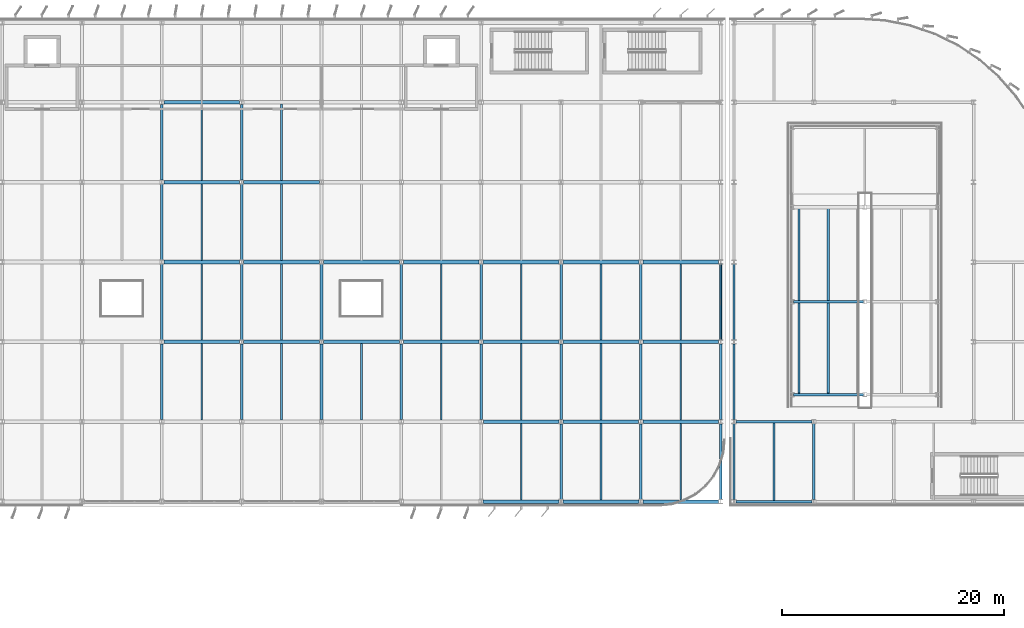
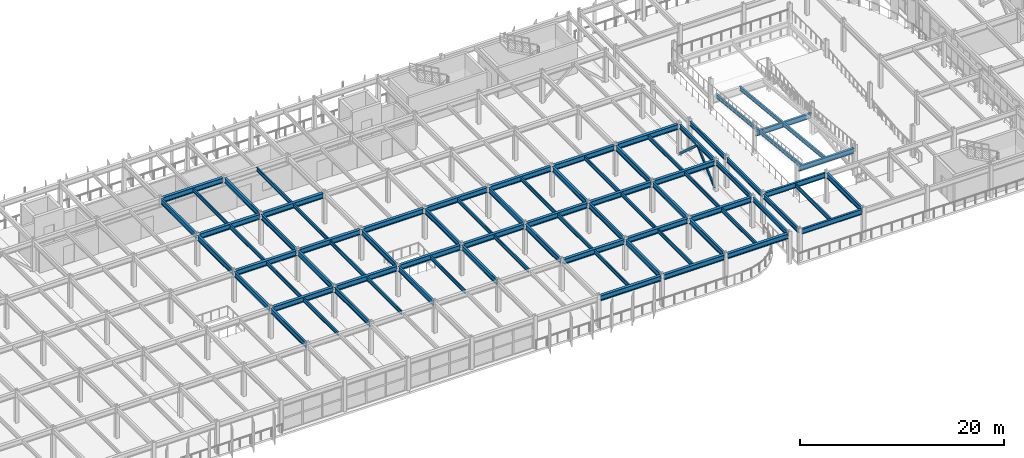
# One storey, part 21 of 80: 77 beams, 2 members.
"""IFC4 building model written with IfcOpenShell, lengths in metres."""

from ifc_helpers import new_model, si_unit, direction, frame, origin, origin_2d, place, context, subcontext, project, spatial, hollow_rectangle, i_section, extrude, material, material_profile, profile_set, type_object, element, save


model = new_model("IFC4")

# Units and contexts
model_context = context("Model", 3, precision=1e-05, world=origin(), true_north=direction((0.0, 1.0)))
body_context = subcontext(model_context, "Body", "Model", "MODEL_VIEW")
ifc_project = project(units=[si_unit("LENGTHUNIT", "METRE"), si_unit("AREAUNIT", "SQUARE_METRE"), si_unit("VOLUMEUNIT", "CUBIC_METRE"), si_unit("PLANEANGLEUNIT", "RADIAN"), si_unit("MASSUNIT", "GRAM", prefix="KILO")], contexts=[model_context])

# Site, building, storey
site_placement = place(None, origin())
site = spatial("IfcSite", under=ifc_project, at=site_placement, CompositionType="ELEMENT")
building_placement = place(site_placement, origin())
building = spatial("IfcBuilding", under=site, at=building_placement, Name="Vaelcorin Mobility Hub", CompositionType="ELEMENT")
storey_placement = place(building_placement, frame((0.0, 0.0, 9.300048828125)))
storey = spatial("IfcBuildingStorey", under=building, at=storey_placement, Name="L02", CompositionType="ELEMENT", Elevation=9.300048828125)

# Beams
ifc_material_1 = material(Name="Steel ASTM A992 Grade 50", Category="steel")
ifc_material_profile_1 = material_profile(ifc_material_1, i_section(OverallWidth=0.152099609375, OverallDepth=0.455078125, WebThickness=0.008056640625, FlangeThickness=0.01318359375, FilletRadius=0.012939453125, at=origin_2d()), Name="W18X40")
ifc_profile_set_1 = profile_set([ifc_material_profile_1], Name="Steel ASTM A992 Grade 50")
beam_type_1 = type_object("IfcBeamType", Name="BM-W18X40", PredefinedType="JOIST", material=ifc_profile_set_1)
beam_1_placement = place(storey_placement, frame((127.199951171875, 76.912109375, 3.421875), z_axis=(0.0, 1.0, 0.0), x_axis=(-1.0, 0.0, 0.0)))
element("IfcBeam", 1, at=beam_1_placement, inside=storey, type_object=beam_type_1, Name="L02 Beam V2E-L02-J-01-01-1", PredefinedType="JOIST", context=body_context, shape_type="SweptSolid", body=[
    extrude(i_section(OverallWidth=0.152099609375, OverallDepth=0.455078125, WebThickness=0.008056640625, FlangeThickness=0.01318359375, FilletRadius=0.012939453125, at=origin_2d()), origin(), (0.0, 0.0, 1.0), 6.975830078125),
])
ifc_material_profile_2 = material_profile(ifc_material_1, i_section(OverallWidth=0.154052734375, OverallDepth=0.45703125, WebThickness=0.009033203125, FlangeThickness=0.015380859375, FilletRadius=0.012939453125, at=origin_2d()), Name="W18X46")
ifc_profile_set_2 = profile_set([ifc_material_profile_2], Name="Steel ASTM A992 Grade 50")
beam_type_2 = type_object("IfcBeamType", Name="BM-W18X46", PredefinedType="JOIST", material=ifc_profile_set_2)
beam_2_placement = place(storey_placement, frame((75.60009765625, 84.159912109375, 3.4619140625), z_axis=(0.0, 1.0, 0.0), x_axis=(-1.0, 0.0, 0.0)))
element("IfcBeam", 2, at=beam_2_placement, inside=storey, type_object=beam_type_2, Name="L02 Beam V4-L02-J-06-02-1", PredefinedType="JOIST", context=body_context, shape_type="SweptSolid", body=[
    extrude(i_section(OverallWidth=0.154052734375, OverallDepth=0.45703125, WebThickness=0.009033203125, FlangeThickness=0.015380859375, FilletRadius=0.012939453125, at=origin_2d()), origin(), (0.0, 0.0, 1.0), 6.880126953125),
])
for number, where, z_axis, x_axis, name in (
    (3, (75.60009765625, 91.360107421875, 3.4619140625), (0.0, 1.0, 0.0), (-1.0, 0.0, 0.0), "L02 Beam V4-L02-J-06-03-1"),
    (4, (75.60009765625, 98.56005859375, 3.4619140625), (0.0, 1.0, 0.0), (-1.0, 0.0, 0.0), "L02 Beam V4-L02-J-06-04-1"),
    (5, (75.60009765625, 105.760009765625, 3.4619140625), (0.0, 1.0, 0.0), (-1.0, 0.0, 0.0), "L02 Beam V4-L02-J-06-05-1"),
):
    element("IfcBeam", number, at=place(storey_placement, frame(where, z_axis=z_axis, x_axis=x_axis)), inside=storey, type_object=beam_type_2, Name=name, PredefinedType="JOIST", context=body_context, shape_type="SweptSolid", body=[
        extrude(i_section(OverallWidth=0.154052734375, OverallDepth=0.45703125, WebThickness=0.009033203125, FlangeThickness=0.015380859375, FilletRadius=0.012939453125, at=origin_2d()), origin(), (0.0, 0.0, 1.0), 6.8798828125),
    ])
beam_3_placement = place(storey_placement, frame((82.800048828125, 84.159912109375, 3.4619140625), z_axis=(0.0, 1.0, 0.0), x_axis=(-1.0, 0.0, 0.0)))
element("IfcBeam", 6, at=beam_3_placement, inside=storey, type_object=beam_type_2, Name="L02 Beam V4-L02-J-07-02-1", PredefinedType="JOIST", context=body_context, shape_type="SweptSolid", body=[
    extrude(i_section(OverallWidth=0.154052734375, OverallDepth=0.45703125, WebThickness=0.009033203125, FlangeThickness=0.015380859375, FilletRadius=0.012939453125, at=origin_2d()), origin(), (0.0, 0.0, 1.0), 6.880126953125),
])
for number, where, z_axis, x_axis, name in (
    (7, (82.800048828125, 91.360107421875, 3.4619140625), (0.0, 1.0, 0.0), (-1.0, 0.0, 0.0), "L02 Beam V4-L02-J-07-03-1"),
    (8, (82.800048828125, 98.56005859375, 3.4619140625), (0.0, 1.0, 0.0), (-1.0, 0.0, 0.0), "L02 Beam V4-L02-J-07-04-1"),
    (9, (82.800048828125, 105.760009765625, 3.4619140625), (0.0, 1.0, 0.0), (-1.0, 0.0, 0.0), "L02 Beam V4-L02-J-07-05-1"),
):
    element("IfcBeam", number, at=place(storey_placement, frame(where, z_axis=z_axis, x_axis=x_axis)), inside=storey, type_object=beam_type_2, Name=name, PredefinedType="JOIST", context=body_context, shape_type="SweptSolid", body=[
        extrude(i_section(OverallWidth=0.154052734375, OverallDepth=0.45703125, WebThickness=0.009033203125, FlangeThickness=0.015380859375, FilletRadius=0.012939453125, at=origin_2d()), origin(), (0.0, 0.0, 1.0), 6.8798828125),
    ])
for number, where, z_axis, x_axis, name in (
    (10, (90.0, 84.159912109375, 3.4619140625), (0.0, 1.0, 0.0), (-1.0, 0.0, 0.0), "L02 Beam V4-L02-J-08-02-1"),
    (11, (97.199951171875, 84.159912109375, 3.4619140625), (0.0, 1.0, 0.0), (-1.0, 0.0, 0.0), "L02 Beam V4-L02-J-09-02-1"),
):
    element("IfcBeam", number, at=place(storey_placement, frame(where, z_axis=z_axis, x_axis=x_axis)), inside=storey, type_object=beam_type_2, Name=name, PredefinedType="JOIST", context=body_context, shape_type="SweptSolid", body=[
        extrude(i_section(OverallWidth=0.154052734375, OverallDepth=0.45703125, WebThickness=0.009033203125, FlangeThickness=0.015380859375, FilletRadius=0.012939453125, at=origin_2d()), origin(), (0.0, 0.0, 1.0), 6.880126953125),
    ])
beam_4_placement = place(storey_placement, frame((97.199951171875, 91.360107421875, 3.4619140625), z_axis=(0.0, 1.0, 0.0), x_axis=(-1.0, 0.0, 0.0)))
element("IfcBeam", 12, at=beam_4_placement, inside=storey, type_object=beam_type_2, Name="L02 Beam V4-L02-J-09-03-1", PredefinedType="JOIST", context=body_context, shape_type="SweptSolid", body=[
    extrude(i_section(OverallWidth=0.154052734375, OverallDepth=0.45703125, WebThickness=0.009033203125, FlangeThickness=0.015380859375, FilletRadius=0.012939453125, at=origin_2d()), origin(), (0.0, 0.0, 1.0), 6.8798828125),
])
for number, where, z_axis, x_axis, name in (
    (13, (104.39990234375, 76.9599609375, 3.4619140625), (0.0, 1.0, 0.0), (-1.0, 0.0, 0.0), "L02 Beam V4-L02-J-10-01-1"),
    (14, (104.39990234375, 84.159912109375, 3.4619140625), (0.0, 1.0, 0.0), (-1.0, 0.0, 0.0), "L02 Beam V4-L02-J-10-02-1"),
):
    element("IfcBeam", number, at=place(storey_placement, frame(where, z_axis=z_axis, x_axis=x_axis)), inside=storey, type_object=beam_type_2, Name=name, PredefinedType="JOIST", context=body_context, shape_type="SweptSolid", body=[
        extrude(i_section(OverallWidth=0.154052734375, OverallDepth=0.45703125, WebThickness=0.009033203125, FlangeThickness=0.015380859375, FilletRadius=0.012939453125, at=origin_2d()), origin(), (0.0, 0.0, 1.0), 6.880126953125),
    ])
beam_5_placement = place(storey_placement, frame((104.39990234375, 91.360107421875, 3.4619140625), z_axis=(0.0, 1.0, 0.0), x_axis=(-1.0, 0.0, 0.0)))
element("IfcBeam", 15, at=beam_5_placement, inside=storey, type_object=beam_type_2, Name="L02 Beam V4-L02-J-10-03-1", PredefinedType="JOIST", context=body_context, shape_type="SweptSolid", body=[
    extrude(i_section(OverallWidth=0.154052734375, OverallDepth=0.45703125, WebThickness=0.009033203125, FlangeThickness=0.015380859375, FilletRadius=0.012939453125, at=origin_2d()), origin(), (0.0, 0.0, 1.0), 6.8798828125),
])
for number, where, z_axis, x_axis, name in (
    (16, (111.60009765625, 76.9599609375, 3.4619140625), (0.0, 1.0, 0.0), (-1.0, 0.0, 0.0), "L02 Beam V4-L02-J-11-01-1"),
    (17, (111.60009765625, 84.159912109375, 3.4619140625), (0.0, 1.0, 0.0), (-1.0, 0.0, 0.0), "L02 Beam V4-L02-J-11-02-1"),
):
    element("IfcBeam", number, at=place(storey_placement, frame(where, z_axis=z_axis, x_axis=x_axis)), inside=storey, type_object=beam_type_2, Name=name, PredefinedType="JOIST", context=body_context, shape_type="SweptSolid", body=[
        extrude(i_section(OverallWidth=0.154052734375, OverallDepth=0.45703125, WebThickness=0.009033203125, FlangeThickness=0.015380859375, FilletRadius=0.012939453125, at=origin_2d()), origin(), (0.0, 0.0, 1.0), 6.880126953125),
    ])
beam_6_placement = place(storey_placement, frame((111.60009765625, 91.360107421875, 3.4619140625), z_axis=(0.0, 1.0, 0.0), x_axis=(-1.0, 0.0, 0.0)))
element("IfcBeam", 18, at=beam_6_placement, inside=storey, type_object=beam_type_2, Name="L02 Beam V4-L02-J-11-03-1", PredefinedType="JOIST", context=body_context, shape_type="SweptSolid", body=[
    extrude(i_section(OverallWidth=0.154052734375, OverallDepth=0.45703125, WebThickness=0.009033203125, FlangeThickness=0.015380859375, FilletRadius=0.012939453125, at=origin_2d()), origin(), (0.0, 0.0, 1.0), 6.8798828125),
])
for number, where, z_axis, x_axis, name in (
    (19, (118.800048828125, 76.9599609375, 3.4619140625), (0.0, 1.0, 0.0), (-1.0, 0.0, 0.0), "L02 Beam V4-L02-J-12-01-1"),
    (20, (118.800048828125, 84.159912109375, 3.4619140625), (0.0, 1.0, 0.0), (-1.0, 0.0, 0.0), "L02 Beam V4-L02-J-12-02-1"),
):
    element("IfcBeam", number, at=place(storey_placement, frame(where, z_axis=z_axis, x_axis=x_axis)), inside=storey, type_object=beam_type_2, Name=name, PredefinedType="JOIST", context=body_context, shape_type="SweptSolid", body=[
        extrude(i_section(OverallWidth=0.154052734375, OverallDepth=0.45703125, WebThickness=0.009033203125, FlangeThickness=0.015380859375, FilletRadius=0.012939453125, at=origin_2d()), origin(), (0.0, 0.0, 1.0), 6.880126953125),
    ])
beam_7_placement = place(storey_placement, frame((118.800048828125, 91.360107421875, 3.4619140625), z_axis=(0.0, 1.0, 0.0), x_axis=(-1.0, 0.0, 0.0)))
element("IfcBeam", 21, at=beam_7_placement, inside=storey, type_object=beam_type_2, Name="L02 Beam V4-L02-J-12-03-1", PredefinedType="JOIST", context=body_context, shape_type="SweptSolid", body=[
    extrude(i_section(OverallWidth=0.154052734375, OverallDepth=0.45703125, WebThickness=0.009033203125, FlangeThickness=0.015380859375, FilletRadius=0.012939453125, at=origin_2d()), origin(), (0.0, 0.0, 1.0), 6.8798828125),
])
ifc_material_profile_3 = material_profile(ifc_material_1, i_section(OverallWidth=0.19091796875, OverallDepth=0.4599609375, WebThickness=0.010009765625, FlangeThickness=0.01611328125, FilletRadius=0.012939453125, at=origin_2d()), Name="W18X55")
ifc_profile_set_3 = profile_set([ifc_material_profile_3], Name="Steel ASTM A992 Grade 50")
beam_type_3 = type_object("IfcBeamType", Name="BM-W18X55", PredefinedType="JOIST", material=ifc_profile_set_3)
for number, where, z_axis, x_axis, name in (
    (22, (129.449951171875, 103.239990234375, 1.570068359375), (0.0, -0.994877478828, 0.101088090895), (1.0, 0.0, 0.0), "Vehicle Ramp VR-2 L02 Flight 2 Stringer 1"),
    (23, (132.10009765625, 103.239990234375, 1.570068359375), (0.0, -0.994877478828, 0.101088090895), (1.0, 0.0, 0.0), "Vehicle Ramp VR-2 L02 Flight 2 Stringer 2"),
):
    element("IfcBeam", number, at=place(storey_placement, frame(where, z_axis=z_axis, x_axis=x_axis)), inside=storey, type_object=beam_type_3, Name=name, PredefinedType="JOIST", context=body_context, shape_type="SweptSolid", body=[
        extrude(i_section(OverallWidth=0.19091796875, OverallDepth=0.4599609375, WebThickness=0.010009765625, FlangeThickness=0.01611328125, FilletRadius=0.012939453125, at=origin_2d()), origin(), (0.0, 0.0, 1.0), 16.765869140625),
    ])
ifc_material_profile_4 = material_profile(ifc_material_1, i_section(OverallWidth=0.2099609375, OverallDepth=0.535888671875, WebThickness=0.010986328125, FlangeThickness=0.017333984375, FilletRadius=0.013916015625, at=origin_2d()), Name="W21X68")
ifc_profile_set_4 = profile_set([ifc_material_profile_4], Name="Steel ASTM A992 Grade 50")
beam_type_4 = type_object("IfcBeamType", Name="BM-W21X68", PredefinedType="SPANDREL", material=ifc_profile_set_4)
for number, where, z_axis, x_axis, name in (
    (24, (122.39990234375, 76.98388671875, 3.421875), (0.0, 1.0, 0.0), (-1.0, 0.0, 0.0), "L02 Beam V4-L02-GY-13-01"),
    (25, (122.39990234375, 84.18798828125, 3.421875), (0.0, 1.0, 0.0), (-1.0, 0.0, 0.0), "L02 Beam V4-L02-GY-13-02"),
):
    element("IfcBeam", number, at=place(storey_placement, frame(where, z_axis=z_axis, x_axis=x_axis)), inside=storey, type_object=beam_type_4, Name=name, PredefinedType="SPANDREL", context=body_context, shape_type="SweptSolid", body=[
        extrude(i_section(OverallWidth=0.2099609375, OverallDepth=0.535888671875, WebThickness=0.010986328125, FlangeThickness=0.017333984375, FilletRadius=0.013916015625, at=origin_2d()), origin(), (0.0, 0.0, 1.0), 6.828125),
    ])
beam_8_placement = place(storey_placement, frame((122.39990234375, 91.384033203125, 3.421875), z_axis=(0.0, 1.0, 0.0), x_axis=(-1.0, 0.0, 0.0)))
element("IfcBeam", 26, at=beam_8_placement, inside=storey, type_object=beam_type_4, Name="L02 Beam V4-L02-GY-13-03", PredefinedType="SPANDREL", context=body_context, shape_type="SweptSolid", body=[
    extrude(i_section(OverallWidth=0.2099609375, OverallDepth=0.535888671875, WebThickness=0.010986328125, FlangeThickness=0.017333984375, FilletRadius=0.013916015625, at=origin_2d()), origin(), (0.0, 0.0, 1.0), 6.83203125),
])
for number, where, z_axis, x_axis, name in (
    (27, (123.60009765625, 76.97998046875, 3.3818359375), (0.0, 1.0, 0.0), (-1.0, 0.0, 0.0), "L02 Beam V2E-L02-GY-01-01"),
    (28, (123.60009765625, 84.179931640625, 3.3818359375), (0.0, 1.0, 0.0), (-1.0, 0.0, 0.0), "L02 Beam V2E-L02-GY-01-02"),
    (29, (123.60009765625, 91.3798828125, 3.3818359375), (0.0, 1.0, 0.0), (-1.0, 0.0, 0.0), "L02 Beam V2E-L02-GY-01-03"),
):
    element("IfcBeam", number, at=place(storey_placement, frame(where, z_axis=z_axis, x_axis=x_axis)), inside=storey, type_object=beam_type_4, Name=name, PredefinedType="SPANDREL", context=body_context, shape_type="SweptSolid", body=[
        extrude(i_section(OverallWidth=0.2099609375, OverallDepth=0.535888671875, WebThickness=0.010986328125, FlangeThickness=0.017333984375, FilletRadius=0.013916015625, at=origin_2d()), origin(), (0.0, 0.0, 1.0), 6.840087890625),
    ])
ifc_material_profile_5 = material_profile(ifc_material_1, i_section(OverallWidth=0.324951171875, OverallDepth=0.612060546875, WebThickness=0.0126953125, FlangeThickness=0.01904296875, FilletRadius=0.014892578125, at=origin_2d()), Name="W24X104")
ifc_profile_set_5 = profile_set([ifc_material_profile_5], Name="Steel ASTM A992 Grade 50")
beam_type_5 = type_object("IfcBeamType", Name="BM-W24X104", PredefinedType="BEAM", material=ifc_profile_set_5)
for number, where, z_axis, x_axis, name in (
    (30, (100.98388671875, 76.800048828125, 3.384033203125), (1.0, 0.0, 0.0), (0.0, 1.0, 0.0), "L02 Beam V4-L02-GX-01-10"),
    (31, (108.18408203125, 76.800048828125, 3.384033203125), (1.0, 0.0, 0.0), (0.0, 1.0, 0.0), "L02 Beam V4-L02-GX-01-11"),
    (32, (115.384033203125, 76.800048828125, 3.384033203125), (1.0, 0.0, 0.0), (0.0, 1.0, 0.0), "L02 Beam V4-L02-GX-01-12"),
):
    element("IfcBeam", number, at=place(storey_placement, frame(where, z_axis=z_axis, x_axis=x_axis)), inside=storey, type_object=beam_type_5, Name=name, PredefinedType="BEAM", context=body_context, shape_type="SweptSolid", body=[
        extrude(i_section(OverallWidth=0.324951171875, OverallDepth=0.612060546875, WebThickness=0.0126953125, FlangeThickness=0.01904296875, FilletRadius=0.014892578125, at=origin_2d()), origin(), (0.0, 0.0, 1.0), 6.83203125),
    ])
for number, where, z_axis, x_axis, name in (
    (33, (100.99609375, 84.0, 3.384033203125), (1.0, 0.0, 0.0), (0.0, 1.0, 0.0), "L02 Beam V4-L02-GX-02-10"),
    (34, (108.196044921875, 84.0, 3.384033203125), (1.0, 0.0, 0.0), (0.0, 1.0, 0.0), "L02 Beam V4-L02-GX-02-11"),
):
    element("IfcBeam", number, at=place(storey_placement, frame(where, z_axis=z_axis, x_axis=x_axis)), inside=storey, type_object=beam_type_5, Name=name, PredefinedType="BEAM", context=body_context, shape_type="SweptSolid", body=[
        extrude(i_section(OverallWidth=0.324951171875, OverallDepth=0.612060546875, WebThickness=0.0126953125, FlangeThickness=0.01904296875, FilletRadius=0.014892578125, at=origin_2d()), origin(), (0.0, 0.0, 1.0), 6.807861328125),
    ])
beam_9_placement = place(storey_placement, frame((115.39599609375, 84.0, 3.384033203125), z_axis=(1.0, 0.0, 0.0), x_axis=(0.0, 1.0, 0.0)))
element("IfcBeam", 35, at=beam_9_placement, inside=storey, type_object=beam_type_5, Name="L02 Beam V4-L02-GX-02-12", PredefinedType="BEAM", context=body_context, shape_type="SweptSolid", body=[
    extrude(i_section(OverallWidth=0.324951171875, OverallDepth=0.612060546875, WebThickness=0.0126953125, FlangeThickness=0.01904296875, FilletRadius=0.014892578125, at=origin_2d()), origin(), (0.0, 0.0, 1.0), 6.80810546875),
])
for number, where, z_axis, x_axis, name in (
    (36, (72.18408203125, 91.199951171875, 3.384033203125), (1.0, 0.0, 0.0), (0.0, 1.0, 0.0), "L02 Beam V4-L02-GX-03-06"),
    (37, (79.384033203125, 91.199951171875, 3.384033203125), (1.0, 0.0, 0.0), (0.0, 1.0, 0.0), "L02 Beam V4-L02-GX-03-07"),
    (38, (86.583984375, 91.199951171875, 3.384033203125), (1.0, 0.0, 0.0), (0.0, 1.0, 0.0), "L02 Beam V4-L02-GX-03-08"),
    (39, (93.783935546875, 91.199951171875, 3.384033203125), (1.0, 0.0, 0.0), (0.0, 1.0, 0.0), "L02 Beam V4-L02-GX-03-09"),
    (40, (100.98388671875, 91.199951171875, 3.384033203125), (1.0, 0.0, 0.0), (0.0, 1.0, 0.0), "L02 Beam V4-L02-GX-03-10"),
    (41, (108.18408203125, 91.199951171875, 3.384033203125), (1.0, 0.0, 0.0), (0.0, 1.0, 0.0), "L02 Beam V4-L02-GX-03-11"),
    (42, (115.384033203125, 91.199951171875, 3.384033203125), (1.0, 0.0, 0.0), (0.0, 1.0, 0.0), "L02 Beam V4-L02-GX-03-12"),
    (43, (72.18408203125, 98.39990234375, 3.384033203125), (1.0, 0.0, 0.0), (0.0, 1.0, 0.0), "L02 Beam V4-L02-GX-04-06"),
    (44, (79.384033203125, 98.39990234375, 3.384033203125), (1.0, 0.0, 0.0), (0.0, 1.0, 0.0), "L02 Beam V4-L02-GX-04-07"),
    (45, (86.583984375, 98.39990234375, 3.384033203125), (1.0, 0.0, 0.0), (0.0, 1.0, 0.0), "L02 Beam V4-L02-GX-04-08"),
    (46, (93.783935546875, 98.39990234375, 3.384033203125), (1.0, 0.0, 0.0), (0.0, 1.0, 0.0), "L02 Beam V4-L02-GX-04-09"),
    (47, (100.98388671875, 98.39990234375, 3.384033203125), (1.0, 0.0, 0.0), (0.0, 1.0, 0.0), "L02 Beam V4-L02-GX-04-10"),
    (48, (108.18408203125, 98.39990234375, 3.384033203125), (1.0, 0.0, 0.0), (0.0, 1.0, 0.0), "L02 Beam V4-L02-GX-04-11"),
    (49, (115.384033203125, 98.39990234375, 3.384033203125), (1.0, 0.0, 0.0), (0.0, 1.0, 0.0), "L02 Beam V4-L02-GX-04-12"),
    (50, (72.18408203125, 105.60009765625, 3.384033203125), (1.0, 0.0, 0.0), (0.0, 1.0, 0.0), "L02 Beam V4-L02-GX-05-06"),
    (51, (79.384033203125, 105.60009765625, 3.384033203125), (1.0, 0.0, 0.0), (0.0, 1.0, 0.0), "L02 Beam V4-L02-GX-05-07"),
):
    element("IfcBeam", number, at=place(storey_placement, frame(where, z_axis=z_axis, x_axis=x_axis)), inside=storey, type_object=beam_type_5, Name=name, PredefinedType="BEAM", context=body_context, shape_type="SweptSolid", body=[
        extrude(i_section(OverallWidth=0.324951171875, OverallDepth=0.612060546875, WebThickness=0.0126953125, FlangeThickness=0.01904296875, FilletRadius=0.014892578125, at=origin_2d()), origin(), (0.0, 0.0, 1.0), 6.83203125),
    ])
beam_10_placement = place(storey_placement, frame((72.196044921875, 112.800048828125, 3.384033203125), z_axis=(1.0, 0.0, 0.0), x_axis=(0.0, 1.0, 0.0)))
element("IfcBeam", 52, at=beam_10_placement, inside=storey, type_object=beam_type_5, Name="L02 Beam V4-L02-GX-06-06", PredefinedType="BEAM", context=body_context, shape_type="SweptSolid", body=[
    extrude(i_section(OverallWidth=0.324951171875, OverallDepth=0.612060546875, WebThickness=0.0126953125, FlangeThickness=0.01904296875, FilletRadius=0.014892578125, at=origin_2d()), origin(), (0.0, 0.0, 1.0), 6.807861328125),
])
ifc_material_profile_6 = material_profile(ifc_material_1, i_section(OverallWidth=0.22802734375, OverallDepth=0.60205078125, WebThickness=0.010498046875, FlangeThickness=0.014892578125, FilletRadius=0.014892578125, at=origin_2d()), Name="W24X68")
ifc_profile_set_6 = profile_set([ifc_material_profile_6], Name="Steel ASTM A992 Grade 50")
beam_type_6 = type_object("IfcBeamType", Name="BM-W24X68", PredefinedType="SPANDREL", material=ifc_profile_set_6)
beam_11_placement = place(storey_placement, frame((123.782958984375, 76.800048828125, 3.348876953125), z_axis=(1.0, 0.0, 0.0), x_axis=(0.0, 1.0, 0.0)))
element("IfcBeam", 53, at=beam_11_placement, inside=storey, type_object=beam_type_6, Name="L02 Beam V2E-L02-GX-01-01", PredefinedType="SPANDREL", context=body_context, shape_type="SweptSolid", body=[
    extrude(i_section(OverallWidth=0.22802734375, OverallDepth=0.60205078125, WebThickness=0.010498046875, FlangeThickness=0.014892578125, FilletRadius=0.014892578125, at=origin_2d()), origin(), (0.0, 0.0, 1.0), 6.8330078125),
])
ifc_material_profile_7 = material_profile(ifc_material_1, i_section(OverallWidth=0.22900390625, OverallDepth=0.612060546875, WebThickness=0.011962890625, FlangeThickness=0.01953125, FilletRadius=0.014892578125, at=origin_2d()), Name="W24X84")
ifc_profile_set_7 = profile_set([ifc_material_profile_7], Name="Steel ASTM A992 Grade 50")
beam_type_7 = type_object("IfcBeamType", Name="BM-W24X84", PredefinedType="BEAM", material=ifc_profile_set_7)
beam_12_placement = place(storey_placement, frame((72.0, 84.18798828125, 3.384033203125), z_axis=(0.0, 1.0, 0.0), x_axis=(-1.0, 0.0, 0.0)))
element("IfcBeam", 54, at=beam_12_placement, inside=storey, type_object=beam_type_7, Name="L02 Beam V4-L02-GY-06-02", PredefinedType="BEAM", context=body_context, shape_type="SweptSolid", body=[
    extrude(i_section(OverallWidth=0.22900390625, OverallDepth=0.612060546875, WebThickness=0.011962890625, FlangeThickness=0.01953125, FilletRadius=0.014892578125, at=origin_2d()), origin(), (0.0, 0.0, 1.0), 6.828125),
])
for number, where, z_axis, x_axis, name in (
    (55, (72.0, 91.384033203125, 3.384033203125), (0.0, 1.0, 0.0), (-1.0, 0.0, 0.0), "L02 Beam V4-L02-GY-06-03"),
    (56, (72.0, 98.583984375, 3.384033203125), (0.0, 1.0, 0.0), (-1.0, 0.0, 0.0), "L02 Beam V4-L02-GY-06-04"),
):
    element("IfcBeam", number, at=place(storey_placement, frame(where, z_axis=z_axis, x_axis=x_axis)), inside=storey, type_object=beam_type_7, Name=name, PredefinedType="BEAM", context=body_context, shape_type="SweptSolid", body=[
        extrude(i_section(OverallWidth=0.22900390625, OverallDepth=0.612060546875, WebThickness=0.011962890625, FlangeThickness=0.01953125, FilletRadius=0.014892578125, at=origin_2d()), origin(), (0.0, 0.0, 1.0), 6.83203125),
    ])
beam_13_placement = place(storey_placement, frame((72.0, 105.783935546875, 3.384033203125), z_axis=(0.0, 1.0, 0.0), x_axis=(-1.0, 0.0, 0.0)))
element("IfcBeam", 57, at=beam_13_placement, inside=storey, type_object=beam_type_7, Name="L02 Beam V4-L02-GY-06-05", PredefinedType="BEAM", context=body_context, shape_type="SweptSolid", body=[
    extrude(i_section(OverallWidth=0.22900390625, OverallDepth=0.612060546875, WebThickness=0.011962890625, FlangeThickness=0.01953125, FilletRadius=0.014892578125, at=origin_2d()), origin(), (0.0, 0.0, 1.0), 6.8271484375),
])
beam_14_placement = place(storey_placement, frame((79.199951171875, 84.18798828125, 3.384033203125), z_axis=(0.0, 1.0, 0.0), x_axis=(-1.0, 0.0, 0.0)))
element("IfcBeam", 58, at=beam_14_placement, inside=storey, type_object=beam_type_7, Name="L02 Beam V4-L02-GY-07-02", PredefinedType="BEAM", context=body_context, shape_type="SweptSolid", body=[
    extrude(i_section(OverallWidth=0.22900390625, OverallDepth=0.612060546875, WebThickness=0.011962890625, FlangeThickness=0.01953125, FilletRadius=0.014892578125, at=origin_2d()), origin(), (0.0, 0.0, 1.0), 6.828125),
])
for number, where, z_axis, x_axis, name in (
    (59, (79.199951171875, 91.384033203125, 3.384033203125), (0.0, 1.0, 0.0), (-1.0, 0.0, 0.0), "L02 Beam V4-L02-GY-07-03"),
    (60, (79.199951171875, 98.583984375, 3.384033203125), (0.0, 1.0, 0.0), (-1.0, 0.0, 0.0), "L02 Beam V4-L02-GY-07-04"),
):
    element("IfcBeam", number, at=place(storey_placement, frame(where, z_axis=z_axis, x_axis=x_axis)), inside=storey, type_object=beam_type_7, Name=name, PredefinedType="BEAM", context=body_context, shape_type="SweptSolid", body=[
        extrude(i_section(OverallWidth=0.22900390625, OverallDepth=0.612060546875, WebThickness=0.011962890625, FlangeThickness=0.01953125, FilletRadius=0.014892578125, at=origin_2d()), origin(), (0.0, 0.0, 1.0), 6.83203125),
    ])
beam_15_placement = place(storey_placement, frame((79.199951171875, 105.783935546875, 3.384033203125), z_axis=(0.0, 1.0, 0.0), x_axis=(-1.0, 0.0, 0.0)))
element("IfcBeam", 61, at=beam_15_placement, inside=storey, type_object=beam_type_7, Name="L02 Beam V4-L02-GY-07-05", PredefinedType="BEAM", context=body_context, shape_type="SweptSolid", body=[
    extrude(i_section(OverallWidth=0.22900390625, OverallDepth=0.612060546875, WebThickness=0.011962890625, FlangeThickness=0.01953125, FilletRadius=0.014892578125, at=origin_2d()), origin(), (0.0, 0.0, 1.0), 6.8271484375),
])
beam_16_placement = place(storey_placement, frame((86.39990234375, 84.18798828125, 3.384033203125), z_axis=(0.0, 1.0, 0.0), x_axis=(-1.0, 0.0, 0.0)))
element("IfcBeam", 62, at=beam_16_placement, inside=storey, type_object=beam_type_7, Name="L02 Beam V4-L02-GY-08-02", PredefinedType="BEAM", context=body_context, shape_type="SweptSolid", body=[
    extrude(i_section(OverallWidth=0.22900390625, OverallDepth=0.612060546875, WebThickness=0.011962890625, FlangeThickness=0.01953125, FilletRadius=0.014892578125, at=origin_2d()), origin(), (0.0, 0.0, 1.0), 6.828125),
])
beam_17_placement = place(storey_placement, frame((86.39990234375, 91.384033203125, 3.384033203125), z_axis=(0.0, 1.0, 0.0), x_axis=(-1.0, 0.0, 0.0)))
element("IfcBeam", 63, at=beam_17_placement, inside=storey, type_object=beam_type_7, Name="L02 Beam V4-L02-GY-08-03", PredefinedType="BEAM", context=body_context, shape_type="SweptSolid", body=[
    extrude(i_section(OverallWidth=0.22900390625, OverallDepth=0.612060546875, WebThickness=0.011962890625, FlangeThickness=0.01953125, FilletRadius=0.014892578125, at=origin_2d()), origin(), (0.0, 0.0, 1.0), 6.83203125),
])
beam_18_placement = place(storey_placement, frame((93.60009765625, 84.18798828125, 3.384033203125), z_axis=(0.0, 1.0, 0.0), x_axis=(-1.0, 0.0, 0.0)))
element("IfcBeam", 64, at=beam_18_placement, inside=storey, type_object=beam_type_7, Name="L02 Beam V4-L02-GY-09-02", PredefinedType="BEAM", context=body_context, shape_type="SweptSolid", body=[
    extrude(i_section(OverallWidth=0.22900390625, OverallDepth=0.612060546875, WebThickness=0.011962890625, FlangeThickness=0.01953125, FilletRadius=0.014892578125, at=origin_2d()), origin(), (0.0, 0.0, 1.0), 6.828125),
])
beam_19_placement = place(storey_placement, frame((93.60009765625, 91.384033203125, 3.384033203125), z_axis=(0.0, 1.0, 0.0), x_axis=(-1.0, 0.0, 0.0)))
element("IfcBeam", 65, at=beam_19_placement, inside=storey, type_object=beam_type_7, Name="L02 Beam V4-L02-GY-09-03", PredefinedType="BEAM", context=body_context, shape_type="SweptSolid", body=[
    extrude(i_section(OverallWidth=0.22900390625, OverallDepth=0.612060546875, WebThickness=0.011962890625, FlangeThickness=0.01953125, FilletRadius=0.014892578125, at=origin_2d()), origin(), (0.0, 0.0, 1.0), 6.83203125),
])
beam_20_placement = place(storey_placement, frame((100.800048828125, 84.18798828125, 3.384033203125), z_axis=(0.0, 1.0, 0.0), x_axis=(-1.0, 0.0, 0.0)))
element("IfcBeam", 66, at=beam_20_placement, inside=storey, type_object=beam_type_7, Name="L02 Beam V4-L02-GY-10-02", PredefinedType="BEAM", context=body_context, shape_type="SweptSolid", body=[
    extrude(i_section(OverallWidth=0.22900390625, OverallDepth=0.612060546875, WebThickness=0.011962890625, FlangeThickness=0.01953125, FilletRadius=0.014892578125, at=origin_2d()), origin(), (0.0, 0.0, 1.0), 6.828125),
])
beam_21_placement = place(storey_placement, frame((100.800048828125, 91.384033203125, 3.384033203125), z_axis=(0.0, 1.0, 0.0), x_axis=(-1.0, 0.0, 0.0)))
element("IfcBeam", 67, at=beam_21_placement, inside=storey, type_object=beam_type_7, Name="L02 Beam V4-L02-GY-10-03", PredefinedType="BEAM", context=body_context, shape_type="SweptSolid", body=[
    extrude(i_section(OverallWidth=0.22900390625, OverallDepth=0.612060546875, WebThickness=0.011962890625, FlangeThickness=0.01953125, FilletRadius=0.014892578125, at=origin_2d()), origin(), (0.0, 0.0, 1.0), 6.83203125),
])
for number, where, z_axis, x_axis, name in (
    (68, (108.0, 76.98388671875, 3.384033203125), (0.0, 1.0, 0.0), (-1.0, 0.0, 0.0), "L02 Beam V4-L02-GY-11-01"),
    (69, (108.0, 84.18798828125, 3.384033203125), (0.0, 1.0, 0.0), (-1.0, 0.0, 0.0), "L02 Beam V4-L02-GY-11-02"),
):
    element("IfcBeam", number, at=place(storey_placement, frame(where, z_axis=z_axis, x_axis=x_axis)), inside=storey, type_object=beam_type_7, Name=name, PredefinedType="BEAM", context=body_context, shape_type="SweptSolid", body=[
        extrude(i_section(OverallWidth=0.22900390625, OverallDepth=0.612060546875, WebThickness=0.011962890625, FlangeThickness=0.01953125, FilletRadius=0.014892578125, at=origin_2d()), origin(), (0.0, 0.0, 1.0), 6.828125),
    ])
beam_22_placement = place(storey_placement, frame((108.0, 91.384033203125, 3.384033203125), z_axis=(0.0, 1.0, 0.0), x_axis=(-1.0, 0.0, 0.0)))
element("IfcBeam", 70, at=beam_22_placement, inside=storey, type_object=beam_type_7, Name="L02 Beam V4-L02-GY-11-03", PredefinedType="BEAM", context=body_context, shape_type="SweptSolid", body=[
    extrude(i_section(OverallWidth=0.22900390625, OverallDepth=0.612060546875, WebThickness=0.011962890625, FlangeThickness=0.01953125, FilletRadius=0.014892578125, at=origin_2d()), origin(), (0.0, 0.0, 1.0), 6.83203125),
])
for number, where, z_axis, x_axis, name in (
    (71, (115.199951171875, 76.98388671875, 3.384033203125), (0.0, 1.0, 0.0), (-1.0, 0.0, 0.0), "L02 Beam V4-L02-GY-12-01"),
    (72, (115.199951171875, 84.18798828125, 3.384033203125), (0.0, 1.0, 0.0), (-1.0, 0.0, 0.0), "L02 Beam V4-L02-GY-12-02"),
):
    element("IfcBeam", number, at=place(storey_placement, frame(where, z_axis=z_axis, x_axis=x_axis)), inside=storey, type_object=beam_type_7, Name=name, PredefinedType="BEAM", context=body_context, shape_type="SweptSolid", body=[
        extrude(i_section(OverallWidth=0.22900390625, OverallDepth=0.612060546875, WebThickness=0.011962890625, FlangeThickness=0.01953125, FilletRadius=0.014892578125, at=origin_2d()), origin(), (0.0, 0.0, 1.0), 6.828125),
    ])
beam_23_placement = place(storey_placement, frame((115.199951171875, 91.384033203125, 3.384033203125), z_axis=(0.0, 1.0, 0.0), x_axis=(-1.0, 0.0, 0.0)))
element("IfcBeam", 73, at=beam_23_placement, inside=storey, type_object=beam_type_7, Name="L02 Beam V4-L02-GY-12-03", PredefinedType="BEAM", context=body_context, shape_type="SweptSolid", body=[
    extrude(i_section(OverallWidth=0.22900390625, OverallDepth=0.612060546875, WebThickness=0.011962890625, FlangeThickness=0.01953125, FilletRadius=0.014892578125, at=origin_2d()), origin(), (0.0, 0.0, 1.0), 6.83203125),
])
beam_24_placement = place(storey_placement, frame((123.782958984375, 84.0, 3.343994140625), z_axis=(1.0, 0.0, 0.0), x_axis=(0.0, 1.0, 0.0)))
element("IfcBeam", 74, at=beam_24_placement, inside=storey, type_object=beam_type_7, Name="L02 Beam V2E-L02-GX-02-01", PredefinedType="BEAM", context=body_context, shape_type="SweptSolid", body=[
    extrude(i_section(OverallWidth=0.22900390625, OverallDepth=0.612060546875, WebThickness=0.011962890625, FlangeThickness=0.01953125, FilletRadius=0.014892578125, at=origin_2d()), origin(), (0.0, 0.0, 1.0), 6.8330078125),
])
beam_25_placement = place(storey_placement, frame((130.800048828125, 76.97998046875, 3.343994140625), z_axis=(0.0, 1.0, 0.0), x_axis=(-1.0, 0.0, 0.0)))
element("IfcBeam", 75, at=beam_25_placement, inside=storey, type_object=beam_type_7, Name="L02 Beam V2E-L02-GY-02-01", PredefinedType="BEAM", context=body_context, shape_type="SweptSolid", body=[
    extrude(i_section(OverallWidth=0.22900390625, OverallDepth=0.612060546875, WebThickness=0.011962890625, FlangeThickness=0.01953125, FilletRadius=0.014892578125, at=origin_2d()), origin(), (0.0, 0.0, 1.0), 6.840087890625),
])
for number, where, z_axis, x_axis, name in (
    (76, (128.97998046875, 94.800048828125, 2.3310546875), (1.0, 0.0, 0.0), (0.0, 1.0, 0.0), "Vehicle Ramp VR-2 L02 Bent Girder F2M"),
    (77, (128.97998046875, 86.449951171875, 3.179931640625), (1.0, 0.0, 0.0), (0.0, 1.0, 0.0), "Vehicle Ramp VR-2 L02 Bent Girder F2S"),
):
    element("IfcBeam", number, at=place(storey_placement, frame(where, z_axis=z_axis, x_axis=x_axis)), inside=storey, type_object=beam_type_7, Name=name, PredefinedType="BEAM", context=body_context, shape_type="SweptSolid", body=[
        extrude(i_section(OverallWidth=0.22900390625, OverallDepth=0.612060546875, WebThickness=0.011962890625, FlangeThickness=0.01953125, FilletRadius=0.014892578125, at=origin_2d()), origin(), (0.0, 0.0, 1.0), 6.2900390625),
    ])

# Members
ifc_material_2 = material(Name="Steel ASTM A500 Grade C", Category="steel")
ifc_material_profile_8 = material_profile(ifc_material_2, hollow_rectangle(XDim=0.15234375, YDim=0.25390625, WallThickness=0.01171875, at=origin_2d()), Name="HSS10X6X0.500")
ifc_profile_set_8 = profile_set([ifc_material_profile_8], Name="Steel ASTM A500 Grade C")
member_type = type_object("IfcMemberType", Name="BR-SCBF-10X6", PredefinedType="BRACE", material=ifc_profile_set_8)
member_1_placement = place(storey_placement, frame((122.39990234375, 91.389892578125, 0.179931640625), z_axis=(0.0, 0.74319360332, 0.669076429106), x_axis=(-1.0, 0.0, 0.0)))
element("IfcMember", 78, at=member_1_placement, inside=storey, type_object=member_type, Name="SCBF Chevron Brace V4-BY2-L02-A", PredefinedType="BRACE", context=body_context, shape_type="SweptSolid", body=[
    extrude(hollow_rectangle(XDim=0.15234375, YDim=0.25390625, WallThickness=0.01171875, at=origin_2d()), origin(), (0.0, 0.0, 1.0), 4.588623046875),
])
member_2_placement = place(storey_placement, frame((122.39990234375, 98.2099609375, 0.179931640625), z_axis=(0.0, -0.743169783144, 0.669102887022), x_axis=(1.0, 0.0, 0.0)))
element("IfcMember", 79, at=member_2_placement, inside=storey, type_object=member_type, Name="SCBF Chevron Brace V4-BY2-L02-B", PredefinedType="BRACE", context=body_context, shape_type="SweptSolid", body=[
    extrude(hollow_rectangle(XDim=0.15234375, YDim=0.25390625, WallThickness=0.01171875, at=origin_2d()), origin(), (0.0, 0.0, 1.0), 4.58837890625),
])

save(model, "model.ifc")
